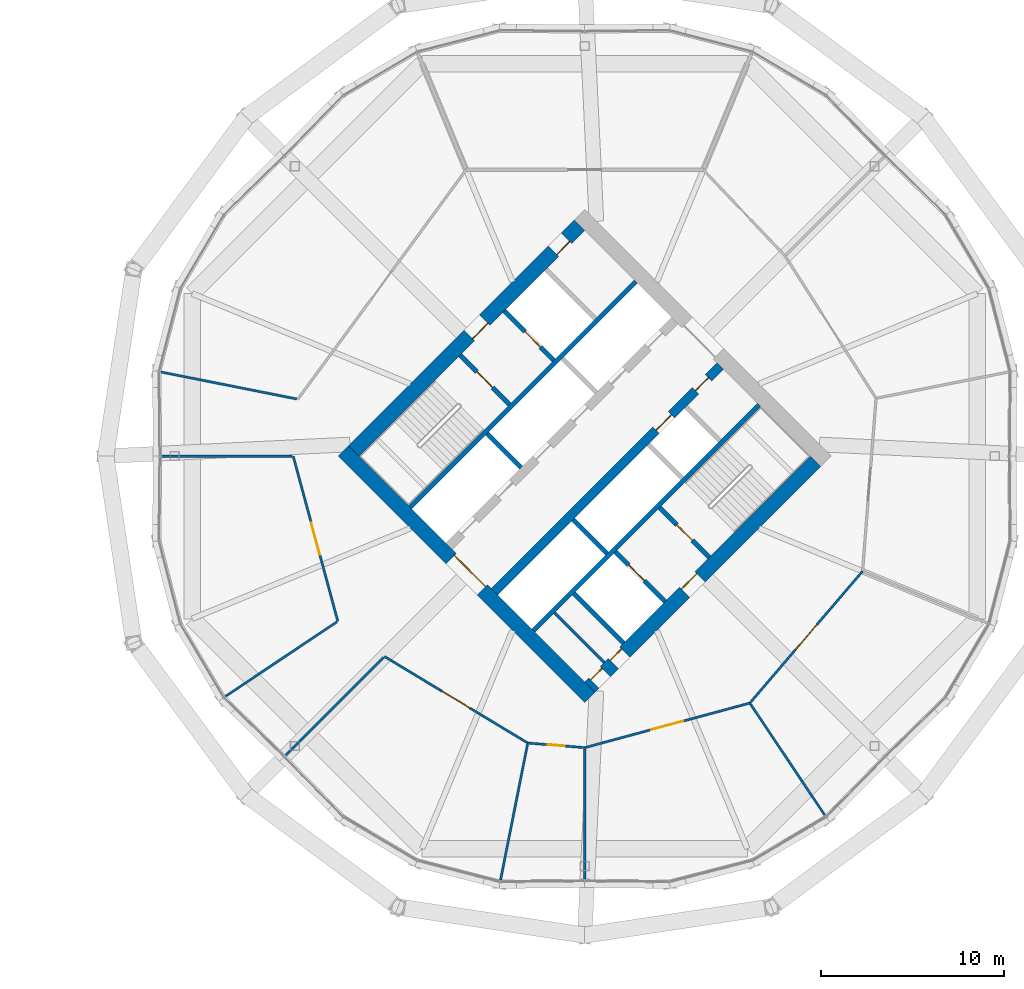
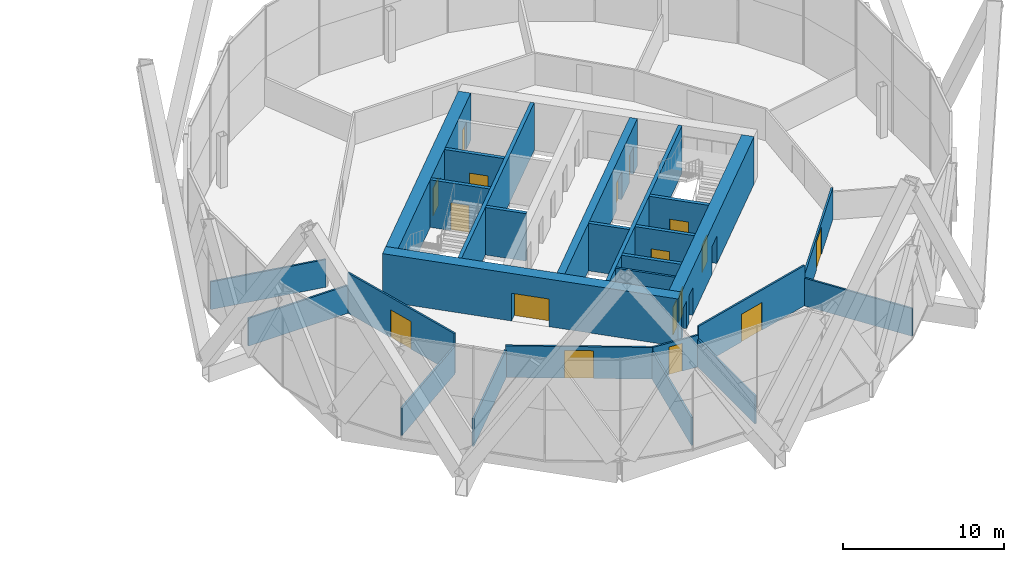
# One storey, part 24 of 28: 26 walls, 17 doors, 17 openings.
"""IFC4 building model written with IfcOpenShell, lengths in metres."""

from ifc_helpers import new_model, si_unit, direction, frame, frame_2d, origin, place, context, subcontext, project, spatial, rectangle, extrude, material, layer, layer_set, type_object, element, fill, save


model = new_model("IFC4")

# Units and contexts
model_context = context("Model", 3, precision=1e-05, world=origin(), true_north=direction((0.0, 1.0)))
body_context = subcontext(model_context, "Body", "Model", "MODEL_VIEW")
ifc_project = project(units=[si_unit("LENGTHUNIT", "METRE"), si_unit("AREAUNIT", "SQUARE_METRE"), si_unit("VOLUMEUNIT", "CUBIC_METRE"), si_unit("PLANEANGLEUNIT", "RADIAN"), si_unit("MASSUNIT", "GRAM", prefix="KILO")], contexts=[model_context])

# Site, building, storey
site_placement = place(None, origin())
site = spatial("IfcSite", under=ifc_project, at=site_placement, CompositionType="ELEMENT")
building_placement = place(site_placement, origin())
building = spatial("IfcBuilding", under=site, at=building_placement, Name="Ogive Gate Towers", CompositionType="ELEMENT")
storey_placement = place(building_placement, frame((0.0, 0.0, 115.199951171875)))
storey = spatial("IfcBuildingStorey", under=building, at=storey_placement, Name="L27", CompositionType="ELEMENT", Elevation=115.199951171875)

# Wall, openings, doors
ifc_material_1 = material(Name="Concrete C60/75", Category="concrete")
ifc_layer_1 = layer(ifc_material_1, 0.800048828125)
ifc_layer_set_1 = layer_set([ifc_layer_1], Name="Core wall 800 mm")
wall_type_1 = type_object("IfcWallType", Name="Core wall 800 mm", PredefinedType="SHEAR", material=ifc_layer_set_1)
wall_1_placement = place(storey_placement, frame((36.28271484375, -12.58642578125, 0.0), z_axis=(0.0, 0.0, 1.0), x_axis=(0.707106781187, 0.707106781187, 0.0)))
wall_1 = element("IfcWall", 1, at=wall_1_placement, inside=storey, type_object=wall_type_1, Name="T2 L27 Core wall 800 mm", PredefinedType="SHEAR", context=body_context, shape_type="SweptSolid", body=[
    extrude(rectangle(XDim=17.400146484375, YDim=0.800048828125, at=frame_2d((8.7001953125, 0.0))), origin(), (0.0, 0.0, 1.0), 3.60009765625),
])
opening_1_placement = place(wall_1_placement, frame((7.300048828125, 0.0, 0.0)))
opening_1 = element("IfcOpeningElement", 2, at=opening_1_placement, cuts=wall_1, Name="Opening KD-T2-L27-16", PredefinedType="OPENING", context=body_context, shape_type="SweptSolid", body=[
    extrude(rectangle(XDim=1.199951171875, YDim=2.10009765625, at=frame_2d((0.60009765625, 1.050048828125))), frame((0.0, 0.41015625, 0.0), z_axis=(0.0, -1.0, 0.0), x_axis=(1.0, 0.0, 0.0)), (0.0, 0.0, 1.0), 0.820068359375),
])
opening_2_placement = place(wall_1_placement, frame((0.300048828125, 0.0, 0.0)))
opening_2 = element("IfcOpeningElement", 3, at=opening_2_placement, cuts=wall_1, Name="Opening KD-T2-L27-18", PredefinedType="OPENING", context=body_context, shape_type="SweptSolid", body=[
    extrude(rectangle(XDim=0.89990234375, YDim=2.10009765625, at=frame_2d((0.449951171875, 1.050048828125))), frame((0.0, 0.41015625, 0.0), z_axis=(0.0, -1.0, 0.0), x_axis=(1.0, 0.0, 0.0)), (0.0, 0.0, 1.0), 0.820068359375),
])
opening_3_placement = place(wall_1_placement, frame((1.800048828125, 0.0, 0.0)))
opening_3 = element("IfcOpeningElement", 4, at=opening_3_placement, cuts=wall_1, Name="Opening KD-T2-L27-19", PredefinedType="OPENING", context=body_context, shape_type="SweptSolid", body=[
    extrude(rectangle(XDim=0.89990234375, YDim=2.10009765625, at=frame_2d((0.449951171875, 1.050048828125))), frame((0.0, 0.41015625, 0.0), z_axis=(0.0, -1.0, 0.0), x_axis=(1.0, 0.0, 0.0)), (0.0, 0.0, 1.0), 0.820068359375),
])
ifc_material_2 = material(Name="Timber door", Category="wood")
door_type_1 = type_object("IfcDoorType", Name="Core WC door 900 x 2100", OperationType="NOTDEFINED", PredefinedType="DOOR", material=ifc_material_2)
door_1_placement = place(opening_2_placement, origin())
door_1 = element("IfcDoor", 5, at=door_1_placement, inside=storey, type_object=door_type_1, Name="T2 L27 Core door", OperationType="SINGLE_SWING_LEFT", OverallHeight=2.10009765625, OverallWidth=0.89990234375, PredefinedType="DOOR", context=body_context, shape_type="SweptSolid", body=[
    extrude(rectangle(XDim=0.89990234375, YDim=2.10009765625, at=frame_2d((0.449951171875, 1.050048828125))), frame((0.0, 0.27490234375, 0.0), z_axis=(0.0, -1.0, 0.0), x_axis=(1.0, 0.0, 0.0)), (0.0, 0.0, 1.0), 0.050048828125),
])
fill(opening_2, door_1)
door_2_placement = place(opening_3_placement, origin())
door_2 = element("IfcDoor", 6, at=door_2_placement, inside=storey, type_object=door_type_1, Name="T2 L27 Core door", OperationType="SINGLE_SWING_RIGHT", OverallHeight=2.10009765625, OverallWidth=0.89990234375, PredefinedType="DOOR", context=body_context, shape_type="SweptSolid", body=[
    extrude(rectangle(XDim=0.89990234375, YDim=2.10009765625, at=frame_2d((0.449951171875, 1.050048828125))), frame((0.0, 0.27490234375, 0.0), z_axis=(0.0, -1.0, 0.0), x_axis=(1.0, 0.0, 0.0)), (0.0, 0.0, 1.0), 0.050048828125),
])
fill(opening_3, door_2)
ifc_material_3 = material(Name="Steel fire door", Category="steel")
door_type_2 = type_object("IfcDoorType", Name="Core door FD60S 1200 x 2100", OperationType="NOTDEFINED", PredefinedType="DOOR", material=ifc_material_3)
door_3_placement = place(opening_1_placement, origin())
door_3 = element("IfcDoor", 7, at=door_3_placement, inside=storey, type_object=door_type_2, Name="T2 L27 Fire-fighting lobby door", OperationType="SINGLE_SWING_LEFT", OverallHeight=2.10009765625, OverallWidth=1.199951171875, PredefinedType="DOOR", context=body_context, shape_type="SweptSolid", body=[
    extrude(rectangle(XDim=1.199951171875, YDim=2.10009765625, at=frame_2d((0.60009765625, 1.050048828125))), frame((0.0, 0.27490234375, 0.0), z_axis=(0.0, -1.0, 0.0), x_axis=(1.0, 0.0, 0.0)), (0.0, 0.0, 1.0), 0.050048828125),
])
fill(opening_1, door_3)

wall_2_placement = place(storey_placement, frame((23.41357421875, 0.28271484375, 0.0), z_axis=(0.0, 0.0, 1.0), x_axis=(0.707106781187, 0.707106781187, 0.0)))
wall_2 = element("IfcWall", 8, at=wall_2_placement, inside=storey, type_object=wall_type_1, Name="T2 L27 Core wall 800 mm", PredefinedType="SHEAR", context=body_context, shape_type="SweptSolid", body=[
    extrude(rectangle(XDim=17.400146484375, YDim=0.800048828125, at=frame_2d((8.7001953125, 0.0))), origin(), (0.0, 0.0, 1.0), 3.60009765625),
])
opening_4_placement = place(wall_2_placement, frame((8.89990234375, 0.0, 0.0)))
opening_4 = element("IfcOpeningElement", 9, at=opening_4_placement, cuts=wall_2, Name="Opening KD-T2-L27-15", PredefinedType="OPENING", context=body_context, shape_type="SweptSolid", body=[
    extrude(rectangle(XDim=1.199951171875, YDim=2.10009765625, at=frame_2d((0.60009765625, 1.050048828125))), frame((0.0, 0.41015625, 0.0), z_axis=(0.0, -1.0, 0.0), x_axis=(1.0, 0.0, 0.0)), (0.0, 0.0, 1.0), 0.820068359375),
])
opening_5_placement = place(wall_2_placement, frame((15.39990234375, 0.0, 0.0)))
opening_5 = element("IfcOpeningElement", 10, at=opening_5_placement, cuts=wall_2, Name="Opening KD-T2-L27-17", PredefinedType="OPENING", context=body_context, shape_type="SweptSolid", body=[
    extrude(rectangle(XDim=1.0, YDim=2.10009765625, at=frame_2d((0.5, 1.050048828125))), frame((0.0, 0.41015625, 0.0), z_axis=(0.0, -1.0, 0.0), x_axis=(1.0, 0.0, 0.0)), (0.0, 0.0, 1.0), 0.820068359375),
])
door_type_3 = type_object("IfcDoorType", Name="Accessible WC door 1000 x 2100", OperationType="NOTDEFINED", PredefinedType="DOOR", material=ifc_material_2)
door_4_placement = place(opening_5_placement, origin())
door_4 = element("IfcDoor", 11, at=door_4_placement, inside=storey, type_object=door_type_3, Name="T2 L27 Core door", OperationType="SINGLE_SWING_RIGHT", OverallHeight=2.10009765625, OverallWidth=1.0, PredefinedType="DOOR", context=body_context, shape_type="SweptSolid", body=[
    extrude(rectangle(XDim=1.0, YDim=2.10009765625, at=frame_2d((0.5, 1.050048828125))), frame((0.0, -0.22509765625, 0.0), z_axis=(0.0, -1.0, 0.0), x_axis=(1.0, 0.0, 0.0)), (0.0, 0.0, 1.0), 0.050048828125),
])
fill(opening_5, door_4)
door_5_placement = place(opening_4_placement, origin())
door_5 = element("IfcDoor", 12, at=door_5_placement, inside=storey, type_object=door_type_2, Name="T2 L27 Fire-fighting lobby door", OperationType="SINGLE_SWING_RIGHT", OverallHeight=2.10009765625, OverallWidth=1.199951171875, PredefinedType="DOOR", context=body_context, shape_type="SweptSolid", body=[
    extrude(rectangle(XDim=1.199951171875, YDim=2.10009765625, at=frame_2d((0.60009765625, 1.050048828125))), frame((0.0, -0.22509765625, 0.0), z_axis=(0.0, -1.0, 0.0), x_axis=(1.0, 0.0, 0.0)), (0.0, 0.0, 1.0), 0.050048828125),
])
fill(opening_4, door_5)

# Wall, opening, door
wall_3_placement = place(storey_placement, frame((36.28271484375, -13.152099609375, 0.0), z_axis=(0.0, 0.0, 1.0), x_axis=(-0.707106781187, 0.707106781187, 0.0)))
wall_3 = element("IfcWall", 13, at=wall_3_placement, inside=storey, type_object=wall_type_1, Name="T2 L27 Core wall 800 mm", PredefinedType="SHEAR", context=body_context, shape_type="SweptSolid", body=[
    extrude(rectangle(XDim=18.999755859375, YDim=0.800048828125, at=frame_2d((9.5, 0.0))), origin(), (0.0, 0.0, 1.0), 3.60009765625),
])
opening_6_placement = place(wall_3_placement, frame((8.300048828125, 0.0, 0.0)))
opening_6 = element("IfcOpeningElement", 14, at=opening_6_placement, cuts=wall_3, Name="Opening KD-T2-L27-01", PredefinedType="OPENING", context=body_context, shape_type="SweptSolid", body=[
    extrude(rectangle(XDim=2.39990234375, YDim=2.10009765625, at=frame_2d((1.199951171875, 1.050048828125))), frame((0.0, 0.41015625, 0.0), z_axis=(0.0, -1.0, 0.0), x_axis=(1.0, 0.0, 0.0)), (0.0, 0.0, 1.0), 0.820068359375),
])
door_type_4 = type_object("IfcDoorType", Name="Core double door FD60S 2400 x 2100", OperationType="DOUBLE_DOOR_SINGLE_SWING", PredefinedType="DOOR", material=ifc_material_3)
door_6_placement = place(opening_6_placement, origin())
door_6 = element("IfcDoor", 15, at=door_6_placement, inside=storey, type_object=door_type_4, Name="T2 L27 Core door double", OperationType="DOUBLE_DOOR_SINGLE_SWING", OverallHeight=2.10009765625, OverallWidth=2.39990234375, PredefinedType="DOOR", context=body_context, shape_type="SweptSolid", body=[
    extrude(rectangle(XDim=2.39990234375, YDim=2.10009765625, at=frame_2d((1.199951171875, 1.050048828125))), frame((0.0, -0.22509765625, 0.0), z_axis=(0.0, -1.0, 0.0), x_axis=(1.0, 0.0, 0.0)), (0.0, 0.0, 1.0), 0.050048828125),
])
fill(opening_6, door_6)

# Walls
ifc_material_4 = material(Name="Gypsum board partition")
ifc_layer_2 = layer(ifc_material_4, 0.125)
ifc_layer_set_2 = layer_set([ifc_layer_2], Name="Partition 125")
wall_type_2 = type_object("IfcWallType", Name="Partition 125", PredefinedType="PARTITIONING", material=ifc_layer_set_2)
wall_4_placement = place(storey_placement, frame((12.8916015625, 4.5888671875, 0.0), z_axis=(0.0, 0.0, 1.0), x_axis=(0.980844513311, -0.194792301461, 0.0)))
element("IfcWall", 16, at=wall_4_placement, inside=storey, type_object=wall_type_2, Name="Partition T2-L27-005", PredefinedType="PARTITIONING", context=body_context, shape_type="SweptSolid", body=[
    extrude(rectangle(XDim=7.55517578125, YDim=0.125, at=frame_2d((3.777587890625, 0.0))), origin(), (0.0, 0.0, 1.0), 2.10009765625),
])
wall_5_placement = place(storey_placement, frame((12.94091796875, 0.0, 0.0), z_axis=(0.0, 0.0, 1.0), x_axis=(1.0, 0.0, 0.0)))
element("IfcWall", 17, at=wall_5_placement, inside=storey, type_object=wall_type_2, Name="Partition T2-L27-006", PredefinedType="PARTITIONING", context=body_context, shape_type="SweptSolid", body=[
    extrude(rectangle(XDim=7.106689453125, YDim=0.125, at=frame_2d((3.55322265625, 0.0))), origin(), (0.0, 0.0, 1.0), 2.10009765625),
])
wall_6_placement = place(storey_placement, frame((16.305419921875, -13.168701171875, 0.0), z_axis=(0.0, 0.0, 1.0), x_axis=(0.831291959619, 0.55583601707, 0.0)))
element("IfcWall", 18, at=wall_6_placement, inside=storey, type_object=wall_type_2, Name="Partition T2-L27-007", PredefinedType="PARTITIONING", context=body_context, shape_type="SweptSolid", body=[
    extrude(rectangle(XDim=7.43701171875, YDim=0.125, at=frame_2d((3.718505859375, 0.0))), origin(), (0.0, 0.0, 1.0), 2.10009765625),
])
wall_7_placement = place(storey_placement, frame((19.5830078125, -16.4169921875, 0.0), z_axis=(0.0, 0.0, 1.0), x_axis=(0.707106781187, 0.707106781187, 0.0)))
element("IfcWall", 19, at=wall_7_placement, inside=storey, type_object=wall_type_2, Name="Partition T2-L27-008", PredefinedType="PARTITIONING", context=body_context, shape_type="SweptSolid", body=[
    extrude(rectangle(XDim=7.71337890625, YDim=0.125, at=frame_2d((3.856689453125, 0.0))), origin(), (0.0, 0.0, 1.0), 2.10009765625),
])
wall_8_placement = place(storey_placement, frame((31.4111328125, -23.1083984375, 0.0), z_axis=(0.0, 0.0, 1.0), x_axis=(0.194792301461, 0.980844513311, 0.0)))
element("IfcWall", 20, at=wall_8_placement, inside=storey, type_object=wall_type_2, Name="Partition T2-L27-009", PredefinedType="PARTITIONING", context=body_context, shape_type="SweptSolid", body=[
    extrude(rectangle(XDim=7.55517578125, YDim=0.125, at=frame_2d((3.777587890625, 0.0))), origin(), (0.0, 0.0, 1.0), 2.10009765625),
])
wall_9_placement = place(storey_placement, frame((36.0, -23.05908203125, 0.0), z_axis=(0.0, 0.0, 1.0), x_axis=(0.0, 1.0, 0.0)))
element("IfcWall", 21, at=wall_9_placement, inside=storey, type_object=wall_type_2, Name="Partition T2-L27-010", PredefinedType="PARTITIONING", context=body_context, shape_type="SweptSolid", body=[
    extrude(rectangle(XDim=7.106689453125, YDim=0.125, at=frame_2d((3.55322265625, 0.0))), origin(), (0.0, 0.0, 1.0), 2.10009765625),
])
wall_10_placement = place(storey_placement, frame((49.168701171875, -19.694580078125, 0.0), z_axis=(0.0, 0.0, 1.0), x_axis=(-0.55583601707, 0.831291959619, 0.0)))
element("IfcWall", 22, at=wall_10_placement, inside=storey, type_object=wall_type_2, Name="Partition T2-L27-011", PredefinedType="PARTITIONING", context=body_context, shape_type="SweptSolid", body=[
    extrude(rectangle(XDim=7.43701171875, YDim=0.125, at=frame_2d((3.718505859375, 0.0))), origin(), (0.0, 0.0, 1.0), 2.10009765625),
])

# Wall, opening, door
wall_11_placement = place(storey_placement, frame((20.110107421875, 0.0, 0.0), z_axis=(0.0, 0.0, 1.0), x_axis=(0.26062801801, -0.965439297019, 0.0)))
wall_11 = element("IfcWall", 23, at=wall_11_placement, inside=storey, type_object=wall_type_2, Name="Partition T2-L27-013", PredefinedType="PARTITIONING", context=body_context, shape_type="SweptSolid", body=[
    extrude(rectangle(XDim=9.322509765625, YDim=0.125, at=frame_2d((4.6611328125, 0.0))), origin(), (0.0, 0.0, 1.0), 3.050048828125),
])
opening_7_placement = place(wall_11_placement, frame((3.760986328125, 0.0, 0.0)))
opening_7 = element("IfcOpeningElement", 24, at=opening_7_placement, cuts=wall_11, Name="Opening T2-L27-D01", PredefinedType="OPENING", context=body_context, shape_type="SweptSolid", body=[
    extrude(rectangle(XDim=1.800048828125, YDim=2.10009765625, at=frame_2d((0.89990234375, 1.050048828125))), frame((0.0, 0.072509765625, 0.0), z_axis=(0.0, -1.0, 0.0), x_axis=(1.0, 0.0, 0.0)), (0.0, 0.0, 1.0), 0.14501953125),
])
door_type_5 = type_object("IfcDoorType", Name="Door pair 1800", OperationType="NOTDEFINED", PredefinedType="DOOR", material=ifc_material_2)
door_7_placement = place(opening_7_placement, origin())
door_7 = element("IfcDoor", 25, at=door_7_placement, inside=storey, type_object=door_type_5, Name="Door T2-L27-D01", OperationType="DOUBLE_DOOR_DOUBLE_SWING", OverallHeight=2.10009765625, OverallWidth=1.800048828125, PredefinedType="DOOR", context=body_context, shape_type="SweptSolid", body=[
    extrude(rectangle(XDim=1.800048828125, YDim=2.10009765625, at=frame_2d((0.89990234375, 1.050048828125))), frame((0.0, 0.02490234375, 0.0), z_axis=(0.0, -1.0, 0.0), x_axis=(1.0, 0.0, 0.0)), (0.0, 0.0, 1.0), 0.050048828125),
])
fill(opening_7, door_7)

wall_12_placement = place(storey_placement, frame((25.081298828125, -10.918701171875, 0.0), z_axis=(0.0, 0.0, 1.0), x_axis=(0.856049930314, -0.516893138676, 0.0)))
wall_12 = element("IfcWall", 26, at=wall_12_placement, inside=storey, type_object=wall_type_2, Name="Partition T2-L27-014", PredefinedType="PARTITIONING", context=body_context, shape_type="SweptSolid", body=[
    extrude(rectangle(XDim=9.127685546875, YDim=0.125, at=frame_2d((4.56396484375, 0.0))), origin(), (0.0, 0.0, 1.0), 2.400146484375),
])
opening_8_placement = place(wall_12_placement, frame((3.6640625, 0.0, 0.0)))
opening_8 = element("IfcOpeningElement", 27, at=opening_8_placement, cuts=wall_12, Name="Opening T2-L27-D02", PredefinedType="OPENING", context=body_context, shape_type="SweptSolid", body=[
    extrude(rectangle(XDim=1.800048828125, YDim=2.10009765625, at=frame_2d((0.89990234375, 1.050048828125))), frame((0.0, 0.072509765625, 0.0), z_axis=(0.0, -1.0, 0.0), x_axis=(1.0, 0.0, 0.0)), (0.0, 0.0, 1.0), 0.14501953125),
])
door_8_placement = place(opening_8_placement, origin())
door_8 = element("IfcDoor", 28, at=door_8_placement, inside=storey, type_object=door_type_5, Name="Door T2-L27-D02", OperationType="DOUBLE_DOOR_DOUBLE_SWING", OverallHeight=2.10009765625, OverallWidth=1.800048828125, PredefinedType="DOOR", context=body_context, shape_type="SweptSolid", body=[
    extrude(rectangle(XDim=1.800048828125, YDim=2.10009765625, at=frame_2d((0.89990234375, 1.050048828125))), frame((0.0, 0.02490234375, 0.0), z_axis=(0.0, -1.0, 0.0), x_axis=(1.0, 0.0, 0.0)), (0.0, 0.0, 1.0), 0.050048828125),
])
fill(opening_8, door_8)

wall_13_placement = place(storey_placement, frame((32.89501953125, -15.63671875, 0.0), z_axis=(0.0, 0.0, 1.0), x_axis=(0.996692263461, -0.081268271521, 0.0)))
wall_13 = element("IfcWall", 29, at=wall_13_placement, inside=storey, type_object=wall_type_2, Name="Partition T2-L27-015", PredefinedType="PARTITIONING", context=body_context, shape_type="SweptSolid", body=[
    extrude(rectangle(XDim=3.115234375, YDim=0.125, at=frame_2d((1.5576171875, 0.0))), origin(), (0.0, 0.0, 1.0), 2.400146484375),
])
opening_9_placement = place(wall_13_placement, frame((1.10791015625, 0.0, 0.0)))
opening_9 = element("IfcOpeningElement", 30, at=opening_9_placement, cuts=wall_13, Name="Opening T2-L27-D03", PredefinedType="OPENING", context=body_context, shape_type="SweptSolid", body=[
    extrude(rectangle(XDim=0.89990234375, YDim=2.10009765625, at=frame_2d((0.449951171875, 1.050048828125))), frame((0.0, 0.072509765625, 0.0), z_axis=(0.0, -1.0, 0.0), x_axis=(1.0, 0.0, 0.0)), (0.0, 0.0, 1.0), 0.14501953125),
])
door_type_6 = type_object("IfcDoorType", Name="Door 900", OperationType="NOTDEFINED", PredefinedType="DOOR", material=ifc_material_2)
door_9_placement = place(opening_9_placement, origin())
door_9 = element("IfcDoor", 31, at=door_9_placement, inside=storey, type_object=door_type_6, Name="Door T2-L27-D03", OperationType="SINGLE_SWING_RIGHT", OverallHeight=2.10009765625, OverallWidth=0.89990234375, PredefinedType="DOOR", context=body_context, shape_type="SweptSolid", body=[
    extrude(rectangle(XDim=0.89990234375, YDim=2.10009765625, at=frame_2d((0.449951171875, 1.050048828125))), frame((0.0, 0.02490234375, 0.0), z_axis=(0.0, -1.0, 0.0), x_axis=(1.0, 0.0, 0.0)), (0.0, 0.0, 1.0), 0.050048828125),
])
fill(opening_9, door_9)

wall_14_placement = place(storey_placement, frame((36.0, -15.889892578125, 0.0), z_axis=(0.0, 0.0, 1.0), x_axis=(0.965439297019, 0.26062801801, 0.0)))
wall_14 = element("IfcWall", 32, at=wall_14_placement, inside=storey, type_object=wall_type_2, Name="Partition T2-L27-016", PredefinedType="PARTITIONING", context=body_context, shape_type="SweptSolid", body=[
    extrude(rectangle(XDim=9.322509765625, YDim=0.125, at=frame_2d((4.6611328125, 0.0))), origin(), (0.0, 0.0, 1.0), 3.050048828125),
])
opening_10_placement = place(wall_14_placement, frame((3.760986328125, 0.0, 0.0)))
opening_10 = element("IfcOpeningElement", 33, at=opening_10_placement, cuts=wall_14, Name="Opening T2-L27-D04", PredefinedType="OPENING", context=body_context, shape_type="SweptSolid", body=[
    extrude(rectangle(XDim=1.800048828125, YDim=2.10009765625, at=frame_2d((0.89990234375, 1.050048828125))), frame((0.0, 0.072509765625, 0.0), z_axis=(0.0, -1.0, 0.0), x_axis=(1.0, 0.0, 0.0)), (0.0, 0.0, 1.0), 0.14501953125),
])
door_10_placement = place(opening_10_placement, origin())
door_10 = element("IfcDoor", 34, at=door_10_placement, inside=storey, type_object=door_type_5, Name="Door T2-L27-D04", OperationType="DOUBLE_DOOR_DOUBLE_SWING", OverallHeight=2.10009765625, OverallWidth=1.800048828125, PredefinedType="DOOR", context=body_context, shape_type="SweptSolid", body=[
    extrude(rectangle(XDim=1.800048828125, YDim=2.10009765625, at=frame_2d((0.89990234375, 1.050048828125))), frame((0.0, 0.02490234375, 0.0), z_axis=(0.0, -1.0, 0.0), x_axis=(1.0, 0.0, 0.0)), (0.0, 0.0, 1.0), 0.050048828125),
])
fill(opening_10, door_10)

wall_15_placement = place(storey_placement, frame((45.000244140625, -13.460205078125, 0.0), z_axis=(0.0, 0.0, 1.0), x_axis=(0.649829752369, 0.760079793795, 0.0)))
wall_15 = element("IfcWall", 35, at=wall_15_placement, inside=storey, type_object=wall_type_2, Name="Partition T2-L27-017", PredefinedType="PARTITIONING", context=body_context, shape_type="SweptSolid", body=[
    extrude(rectangle(XDim=9.45556640625, YDim=0.125, at=frame_2d((4.727783203125, 0.0))), origin(), (0.0, 0.0, 1.0), 2.400146484375),
])
opening_11_placement = place(wall_15_placement, frame((3.827880859375, 0.0, 0.0)))
opening_11 = element("IfcOpeningElement", 36, at=opening_11_placement, cuts=wall_15, Name="Opening T2-L27-D05", PredefinedType="OPENING", context=body_context, shape_type="SweptSolid", body=[
    extrude(rectangle(XDim=1.800048828125, YDim=2.10009765625, at=frame_2d((0.89990234375, 1.050048828125))), frame((0.0, 0.072509765625, 0.0), z_axis=(0.0, -1.0, 0.0), x_axis=(1.0, 0.0, 0.0)), (0.0, 0.0, 1.0), 0.14501953125),
])
door_11_placement = place(opening_11_placement, origin())
door_11 = element("IfcDoor", 37, at=door_11_placement, inside=storey, type_object=door_type_5, Name="Door T2-L27-D05", OperationType="DOUBLE_DOOR_DOUBLE_SWING", OverallHeight=2.10009765625, OverallWidth=1.800048828125, PredefinedType="DOOR", context=body_context, shape_type="SweptSolid", body=[
    extrude(rectangle(XDim=1.800048828125, YDim=2.10009765625, at=frame_2d((0.89990234375, 1.050048828125))), frame((0.0, 0.02490234375, 0.0), z_axis=(0.0, -1.0, 0.0), x_axis=(1.0, 0.0, 0.0)), (0.0, 0.0, 1.0), 0.050048828125),
])
fill(opening_11, door_11)

# Walls
ifc_layer_3 = layer(ifc_material_4, 0.14990234375)
ifc_layer_set_3 = layer_set([ifc_layer_3], Name="Room partition 150 mm")
wall_type_3 = type_object("IfcWallType", Name="Room partition 150 mm", PredefinedType="PARTITIONING", material=ifc_layer_set_3)
wall_16_placement = place(storey_placement, frame((37.060791015625, -11.242919921875, 0.0), z_axis=(0.0, 0.0, 1.0), x_axis=(-0.707138693938, 0.707074866995, 0.0)))
element("IfcWall", 38, at=wall_16_placement, inside=storey, type_object=wall_type_3, Name="T2 L27 Room partition 150 mm", PredefinedType="PARTITIONING", context=body_context, shape_type="SweptSolid", body=[
    extrude(rectangle(XDim=3.824951171875, YDim=0.14990234375, at=frame_2d((1.91259765625, 0.0))), origin(), (0.0, 0.0, 1.0), 3.60009765625),
])
ifc_layer_4 = layer(ifc_material_1, 0.25)
ifc_layer_set_4 = layer_set([ifc_layer_4], Name="Shaft wall 250 mm")
wall_type_4 = type_object("IfcWallType", Name="Shaft wall 250 mm", PredefinedType="SHEAR", material=ifc_layer_set_4)
for number, where, z_axis, x_axis, name in (
    (39, (33.206787109375, -9.510498046875, 0.0), (0.0, 0.0, 1.0), (0.707106781187, 0.707106781187, 0.0), "T2 L27 Shaft wall 250 mm"),
    (40, (26.489501953125, -2.793212890625, 0.0), (0.0, 0.0, 1.0), (0.707106781187, 0.707106781187, 0.0), "T2 L27 Shaft wall 250 mm"),
):
    element("IfcWall", number, at=place(storey_placement, frame(where, z_axis=z_axis, x_axis=x_axis)), inside=storey, type_object=wall_type_4, Name=name, PredefinedType="SHEAR", context=body_context, shape_type="SweptSolid", body=[
        extrude(rectangle(XDim=17.400146484375, YDim=0.25, at=frame_2d((8.7001953125, 0.0))), origin(), (0.0, 0.0, 1.0), 3.60009765625),
    ])
wall_17_placement = place(storey_placement, frame((38.121337890625, -10.182373046875, 0.0), z_axis=(0.0, 0.0, 1.0), x_axis=(-0.707138693938, 0.707074866995, 0.0)))
element("IfcWall", 41, at=wall_17_placement, inside=storey, type_object=wall_type_4, Name="T2 L27 Shaft wall 250 mm", PredefinedType="SHEAR", context=body_context, shape_type="SweptSolid", body=[
    extrude(rectangle(XDim=3.824951171875, YDim=0.25, at=frame_2d((1.91259765625, 0.0))), origin(), (0.0, 0.0, 1.0), 3.60009765625),
])
for number, where, z_axis, x_axis, name in (
    (42, (37.2197265625, -5.321044921875, 0.0), (0.0, 0.0, 1.0), (-0.707106781187, 0.707106781187, 0.0), "T2 L27 Shaft wall 250 mm"),
    (43, (32.53515625, -0.636474609375, 0.0), (0.0, 0.0, 1.0), (-0.707106781187, 0.707106781187, 0.0), "T2 L27 Shaft wall 250 mm"),
):
    element("IfcWall", number, at=place(storey_placement, frame(where, z_axis=z_axis, x_axis=x_axis)), inside=storey, type_object=wall_type_4, Name=name, PredefinedType="SHEAR", context=body_context, shape_type="SweptSolid", body=[
        extrude(rectangle(XDim=2.625, YDim=0.25, at=frame_2d((1.3125, 0.0))), origin(), (0.0, 0.0, 1.0), 3.60009765625),
    ])

# Wall, opening, door
wall_18_placement = place(storey_placement, frame((40.384033203125, -7.919677734375, 0.0), z_axis=(0.0, 0.0, 1.0), x_axis=(-0.707074866995, 0.707138693938, 0.0)))
wall_18 = element("IfcWall", 44, at=wall_18_placement, inside=storey, type_object=wall_type_4, Name="T2 L27 Shaft wall 250 mm", PredefinedType="SHEAR", context=body_context, shape_type="SweptSolid", body=[
    extrude(rectangle(XDim=3.824951171875, YDim=0.25, at=frame_2d((1.91259765625, 0.0))), origin(), (0.0, 0.0, 1.0), 3.60009765625),
])
opening_12_placement = place(wall_18_placement, frame((1.60009765625, 0.0, 0.0)))
opening_12 = element("IfcOpeningElement", 45, at=opening_12_placement, cuts=wall_18, Name="Opening LD-T2-L27-11", PredefinedType="OPENING", context=body_context, shape_type="SweptSolid", body=[
    extrude(rectangle(XDim=1.199951171875, YDim=2.10009765625, at=frame_2d((0.60009765625, 1.050048828125))), frame((0.0, 0.135009765625, 0.0), z_axis=(0.0, -1.0, 0.0), x_axis=(1.0, 0.0, 0.0)), (0.0, 0.0, 1.0), 0.27001953125),
])
ifc_material_5 = material(Name="Stainless steel landing door", Category="steel")
door_type_7 = type_object("IfcDoorType", Name="Landing door 1200 x 2100", OperationType="SLIDING_TO_LEFT", PredefinedType="DOOR", material=ifc_material_5)
door_12_placement = place(opening_12_placement, origin())
door_12 = element("IfcDoor", 46, at=door_12_placement, inside=storey, type_object=door_type_7, Name="T2 L27 Lift landing door FF2", OperationType="SLIDING_TO_LEFT", OverallHeight=2.10009765625, OverallWidth=1.199951171875, PredefinedType="DOOR", context=body_context, shape_type="SweptSolid", body=[
    extrude(rectangle(XDim=1.199951171875, YDim=2.10009765625, at=frame_2d((0.60009765625, 1.050048828125))), frame((0.0, 0.02490234375, 0.0), z_axis=(0.0, -1.0, 0.0), x_axis=(1.0, 0.0, 0.0)), (0.0, 0.0, 1.0), 0.050048828125),
])
fill(opening_12, door_12)

wall_19_placement = place(storey_placement, frame((31.91650390625, 2.810791015625, 0.0), z_axis=(0.0, 0.0, 1.0), x_axis=(-0.707106781187, 0.707106781187, 0.0)))
wall_19 = element("IfcWall", 47, at=wall_19_placement, inside=storey, type_object=wall_type_4, Name="T2 L27 Shaft wall 250 mm", PredefinedType="SHEAR", context=body_context, shape_type="SweptSolid", body=[
    extrude(rectangle(XDim=3.824951171875, YDim=0.25, at=frame_2d((1.91259765625, 0.0))), origin(), (0.0, 0.0, 1.0), 3.60009765625),
])
opening_13_placement = place(wall_19_placement, frame((1.324951171875, 0.0, 0.0)))
opening_13 = element("IfcOpeningElement", 48, at=opening_13_placement, cuts=wall_19, Name="Opening KD-T2-L27-13", PredefinedType="OPENING", context=body_context, shape_type="SweptSolid", body=[
    extrude(rectangle(XDim=1.199951171875, YDim=2.10009765625, at=frame_2d((0.60009765625, 1.050048828125))), frame((0.0, 0.135009765625, 0.0), z_axis=(0.0, -1.0, 0.0), x_axis=(1.0, 0.0, 0.0)), (0.0, 0.0, 1.0), 0.27001953125),
])
door_13_placement = place(opening_13_placement, origin())
door_13 = element("IfcDoor", 49, at=door_13_placement, inside=storey, type_object=door_type_2, Name="T2 L27 Stair door", OperationType="SINGLE_SWING_RIGHT", OverallHeight=2.10009765625, OverallWidth=1.199951171875, PredefinedType="DOOR", context=body_context, shape_type="SweptSolid", body=[
    extrude(rectangle(XDim=1.199951171875, YDim=2.10009765625, at=frame_2d((0.60009765625, 1.050048828125))), frame((0.0, 0.02490234375, 0.0), z_axis=(0.0, -1.0, 0.0), x_axis=(1.0, 0.0, 0.0)), (0.0, 0.0, 1.0), 0.050048828125),
])
fill(opening_13, door_13)

wall_20_placement = place(storey_placement, frame((42.7880859375, -5.515380859375, 0.0), z_axis=(0.0, 0.0, 1.0), x_axis=(-0.707106781187, 0.707106781187, 0.0)))
wall_20 = element("IfcWall", 50, at=wall_20_placement, inside=storey, type_object=wall_type_4, Name="T2 L27 Shaft wall 250 mm", PredefinedType="SHEAR", context=body_context, shape_type="SweptSolid", body=[
    extrude(rectangle(XDim=3.824951171875, YDim=0.25, at=frame_2d((1.91259765625, 0.0))), origin(), (0.0, 0.0, 1.0), 3.60009765625),
])
opening_14_placement = place(wall_20_placement, frame((1.300048828125, 0.0, 0.0)))
opening_14 = element("IfcOpeningElement", 51, at=opening_14_placement, cuts=wall_20, Name="Opening KD-T2-L27-14", PredefinedType="OPENING", context=body_context, shape_type="SweptSolid", body=[
    extrude(rectangle(XDim=1.199951171875, YDim=2.10009765625, at=frame_2d((0.60009765625, 1.050048828125))), frame((0.0, 0.135009765625, 0.0), z_axis=(0.0, -1.0, 0.0), x_axis=(1.0, 0.0, 0.0)), (0.0, 0.0, 1.0), 0.27001953125),
])
door_14_placement = place(opening_14_placement, origin())
door_14 = element("IfcDoor", 52, at=door_14_placement, inside=storey, type_object=door_type_2, Name="T2 L27 Stair door", OperationType="SINGLE_SWING_LEFT", OverallHeight=2.10009765625, OverallWidth=1.199951171875, PredefinedType="DOOR", context=body_context, shape_type="SweptSolid", body=[
    extrude(rectangle(XDim=1.199951171875, YDim=2.10009765625, at=frame_2d((0.60009765625, 1.050048828125))), frame((0.0, 0.02490234375, 0.0), z_axis=(0.0, -1.0, 0.0), x_axis=(1.0, 0.0, 0.0)), (0.0, 0.0, 1.0), 0.050048828125),
])
fill(opening_14, door_14)

wall_21_placement = place(storey_placement, frame((34.320556640625, 5.21484375, 0.0), z_axis=(0.0, 0.0, 1.0), x_axis=(-0.707074866995, 0.707138693938, 0.0)))
wall_21 = element("IfcWall", 53, at=wall_21_placement, inside=storey, type_object=wall_type_4, Name="T2 L27 Shaft wall 250 mm", PredefinedType="SHEAR", context=body_context, shape_type="SweptSolid", body=[
    extrude(rectangle(XDim=3.824951171875, YDim=0.25, at=frame_2d((1.91259765625, 0.0))), origin(), (0.0, 0.0, 1.0), 3.60009765625),
])
opening_15_placement = place(wall_21_placement, frame((1.02490234375, 0.0, 0.0)))
opening_15 = element("IfcOpeningElement", 54, at=opening_15_placement, cuts=wall_21, Name="Opening LD-T2-L27-10", PredefinedType="OPENING", context=body_context, shape_type="SweptSolid", body=[
    extrude(rectangle(XDim=1.199951171875, YDim=2.10009765625, at=frame_2d((0.60009765625, 1.050048828125))), frame((0.0, 0.135009765625, 0.0), z_axis=(0.0, -1.0, 0.0), x_axis=(1.0, 0.0, 0.0)), (0.0, 0.0, 1.0), 0.27001953125),
])
door_15_placement = place(opening_15_placement, origin())
door_15 = element("IfcDoor", 55, at=door_15_placement, inside=storey, type_object=door_type_7, Name="T2 L27 Lift landing door FF1", OperationType="SLIDING_TO_LEFT", OverallHeight=2.10009765625, OverallWidth=1.199951171875, PredefinedType="DOOR", context=body_context, shape_type="SweptSolid", body=[
    extrude(rectangle(XDim=1.199951171875, YDim=2.10009765625, at=frame_2d((0.60009765625, 1.050048828125))), frame((0.0, 0.02490234375, 0.0), z_axis=(0.0, -1.0, 0.0), x_axis=(1.0, 0.0, 0.0)), (0.0, 0.0, 1.0), 0.050048828125),
])
fill(opening_15, door_15)

# Wall, openings, doors
ifc_layer_5 = layer(ifc_material_1, 0.5)
ifc_layer_set_5 = layer_set([ifc_layer_5], Name="Spine wall 500 mm")
wall_type_5 = type_object("IfcWallType", Name="Spine wall 500 mm", PredefinedType="SHEAR", material=ifc_layer_set_5)
wall_22_placement = place(storey_placement, frame((31.085693359375, -7.389404296875, 0.0), z_axis=(0.0, 0.0, 1.0), x_axis=(0.707106781187, 0.707106781187, 0.0)))
wall_22 = element("IfcWall", 56, at=wall_22_placement, inside=storey, type_object=wall_type_5, Name="T2 L27 Spine wall 500 mm", PredefinedType="SHEAR", context=body_context, shape_type="SweptSolid", body=[
    extrude(rectangle(XDim=17.400146484375, YDim=0.5, at=frame_2d((8.7001953125, 0.0))), origin(), (0.0, 0.0, 1.0), 3.60009765625),
])
opening_16_placement = place(wall_22_placement, frame((12.449951171875, 0.0, 0.0)))
opening_16 = element("IfcOpeningElement", 57, at=opening_16_placement, cuts=wall_22, Name="Opening LD-T2-L27-09", PredefinedType="OPENING", context=body_context, shape_type="SweptSolid", body=[
    extrude(rectangle(XDim=1.199951171875, YDim=2.10009765625, at=frame_2d((0.60009765625, 1.050048828125))), frame((0.0, 0.260009765625, 0.0), z_axis=(0.0, -1.0, 0.0), x_axis=(1.0, 0.0, 0.0)), (0.0, 0.0, 1.0), 0.52001953125),
])
opening_17_placement = place(wall_22_placement, frame((15.5, 0.0, 0.0)))
opening_17 = element("IfcOpeningElement", 58, at=opening_17_placement, cuts=wall_22, Name="Opening KD-T2-L27-12", PredefinedType="OPENING", context=body_context, shape_type="SweptSolid", body=[
    extrude(rectangle(XDim=1.0, YDim=2.10009765625, at=frame_2d((0.5, 1.050048828125))), frame((0.0, 0.260009765625, 0.0), z_axis=(0.0, -1.0, 0.0), x_axis=(1.0, 0.0, 0.0)), (0.0, 0.0, 1.0), 0.52001953125),
])
door_type_8 = type_object("IfcDoorType", Name="Core door FD60S 1000 x 2100", OperationType="NOTDEFINED", PredefinedType="DOOR", material=ifc_material_3)
door_16_placement = place(opening_17_placement, origin())
door_16 = element("IfcDoor", 59, at=door_16_placement, inside=storey, type_object=door_type_8, Name="T2 L27 Core door", OperationType="SINGLE_SWING_LEFT", OverallHeight=2.10009765625, OverallWidth=1.0, PredefinedType="DOOR", context=body_context, shape_type="SweptSolid", body=[
    extrude(rectangle(XDim=1.0, YDim=2.10009765625, at=frame_2d((0.5, 1.050048828125))), frame((0.0, 0.02490234375, 0.0), z_axis=(0.0, -1.0, 0.0), x_axis=(1.0, 0.0, 0.0)), (0.0, 0.0, 1.0), 0.050048828125),
])
fill(opening_17, door_16)
door_17_placement = place(opening_16_placement, origin())
door_17 = element("IfcDoor", 60, at=door_17_placement, inside=storey, type_object=door_type_7, Name="T2 L27 Lift landing door SVC", OperationType="SLIDING_TO_LEFT", OverallHeight=2.10009765625, OverallWidth=1.199951171875, PredefinedType="DOOR", context=body_context, shape_type="SweptSolid", body=[
    extrude(rectangle(XDim=1.199951171875, YDim=2.10009765625, at=frame_2d((0.60009765625, 1.050048828125))), frame((0.0, 0.02490234375, 0.0), z_axis=(0.0, -1.0, 0.0), x_axis=(1.0, 0.0, 0.0)), (0.0, 0.0, 1.0), 0.050048828125),
])
fill(opening_16, door_17)

save(model, "model.ifc")
